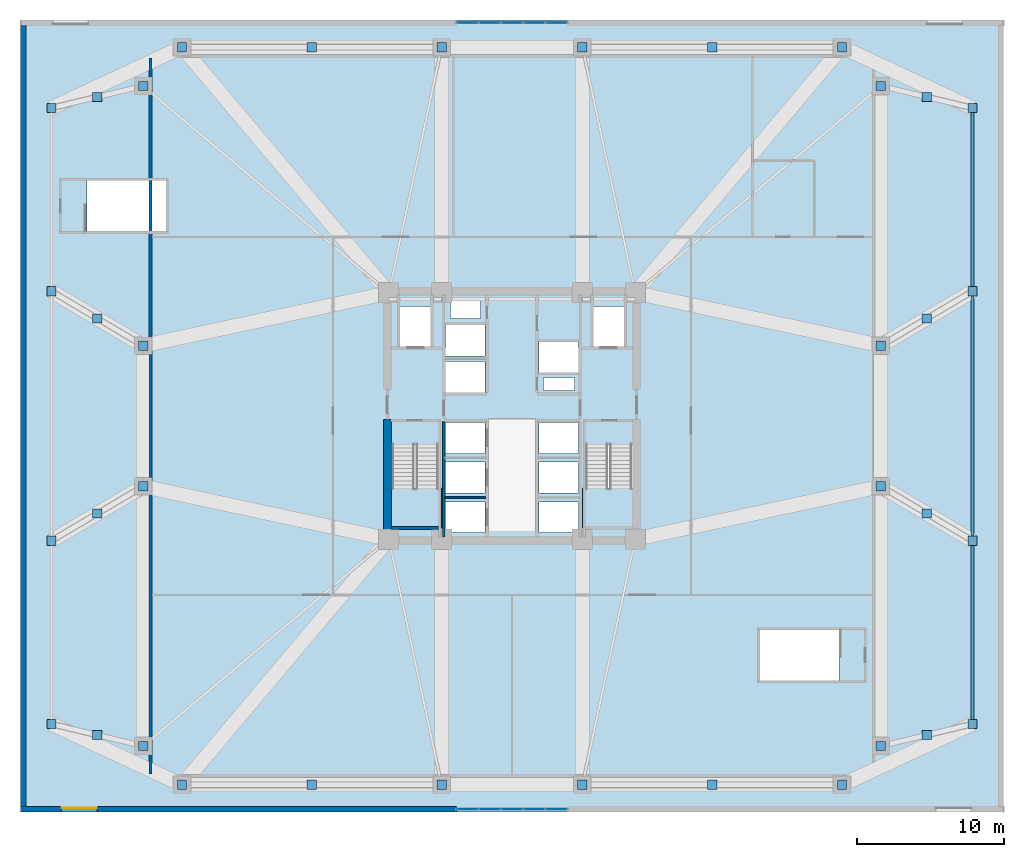
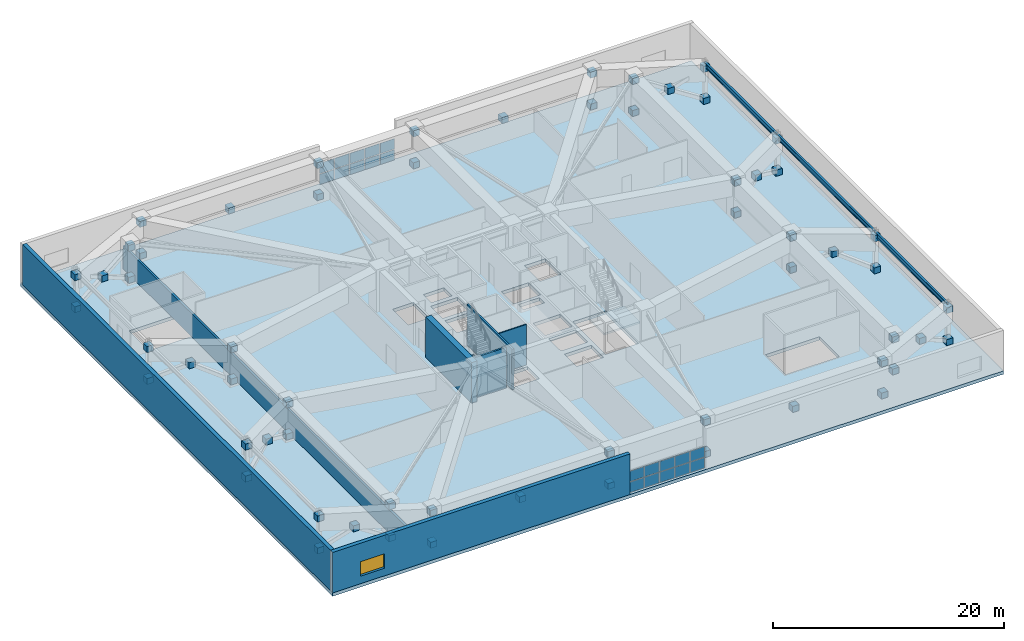
# One storey, part 10 of 19: 80 plates, 7 walls, 3 beams, 3 slabs, 1 window, 1 opening, 4 elements without a shape of their own.
"""IFC4 building model written with IfcOpenShell, lengths in metres."""

from ifc_helpers import new_model, si_unit, direction, frame, frame_2d, origin, origin_2d, place, context, subcontext, project, spatial, polyline, rectangle, i_section, outline, extrude, material, layer, layer_set, material_profile, profile_set, type_object, element, fill, aggregate, save


model = new_model("IFC4")

# Units and contexts
model_context = context("Model", 3, precision=1e-05, world=origin(), true_north=direction((0.0, 1.0)))
body_context = subcontext(model_context, "Body", "Model", "MODEL_VIEW")
ifc_project = project(units=[si_unit("LENGTHUNIT", "METRE"), si_unit("AREAUNIT", "SQUARE_METRE"), si_unit("VOLUMEUNIT", "CUBIC_METRE"), si_unit("PLANEANGLEUNIT", "RADIAN"), si_unit("MASSUNIT", "GRAM", prefix="KILO")], contexts=[model_context])

# Site, building, storey
site_placement = place(None, origin())
site = spatial("IfcSite", under=ifc_project, at=site_placement, CompositionType="ELEMENT")
building_placement = place(site_placement, origin())
building = spatial("IfcBuilding", under=site, at=building_placement, Name="Cairnveth Concourse Tower", CompositionType="ELEMENT")
storey_placement = place(building_placement, frame((0.0, 0.0, 19.0)))
storey = spatial("IfcBuildingStorey", under=building, at=storey_placement, Name="L04", CompositionType="ELEMENT", Elevation=19.0)

# Beams
ifc_material_1 = material(Name="Steel Grade 350", Category="steel")
ifc_material_profile = material_profile(ifc_material_1, i_section(OverallWidth=0.208984375, OverallDepth=0.532958984375, WebThickness=0.01025390625, FlangeThickness=0.015625, FilletRadius=0.013916015625, at=origin_2d()), Name="530UB92.4")
ifc_profile_set = profile_set([ifc_material_profile], Name="Steel Grade 350")
beam_type = type_object("IfcBeamType", Name="PODIUM EDGE SPANDREL 530UB92.4", PredefinedType="SPANDREL", material=ifc_profile_set)
beam_1_placement = place(storey_placement, frame((83.39990234375, 18.0, 4.013427734375), z_axis=(0.0, 1.0, 0.0), x_axis=(-1.0, 0.0, 0.0)))
element("IfcBeam", 1, at=beam_1_placement, inside=storey, type_object=beam_type, Name="Beam PSP-E1 L04", PredefinedType="SPANDREL", context=body_context, shape_type="SweptSolid", body=[
    extrude(i_section(OverallWidth=0.208984375, OverallDepth=0.532958984375, WebThickness=0.01025390625, FlangeThickness=0.015625, FilletRadius=0.013916015625, at=origin_2d()), origin(), (0.0, 0.0, 1.0), 12.5),
])
beam_2_placement = place(storey_placement, frame((83.39990234375, 30.5, 4.013427734375), z_axis=(0.0, 1.0, 0.0), x_axis=(-1.0, 0.0, 0.0)))
element("IfcBeam", 2, at=beam_2_placement, inside=storey, type_object=beam_type, Name="Beam PSP-E2 L04", PredefinedType="SPANDREL", context=body_context, shape_type="SweptSolid", body=[
    extrude(i_section(OverallWidth=0.208984375, OverallDepth=0.532958984375, WebThickness=0.01025390625, FlangeThickness=0.015625, FilletRadius=0.013916015625, at=origin_2d()), origin(), (0.0, 0.0, 1.0), 17.0),
])
beam_3_placement = place(storey_placement, frame((83.39990234375, 47.5, 4.013427734375), z_axis=(0.0, 1.0, 0.0), x_axis=(-1.0, 0.0, 0.0)))
element("IfcBeam", 3, at=beam_3_placement, inside=storey, type_object=beam_type, Name="Beam PSP-E3 L04", PredefinedType="SPANDREL", context=body_context, shape_type="SweptSolid", body=[
    extrude(i_section(OverallWidth=0.208984375, OverallDepth=0.532958984375, WebThickness=0.01025390625, FlangeThickness=0.015625, FilletRadius=0.013916015625, at=origin_2d()), origin(), (0.0, 0.0, 1.0), 12.5),
])

# Curtain wall, plates
ifc_material_2 = material(Name="Architectural Bronze Anodised Aluminium 6063-T6", Category="aluminium")
ifc_layer_1 = layer(ifc_material_2, 0.340087890625)
ifc_layer_set_1 = layer_set([ifc_layer_1], Name="Architectural Bronze Anodised Aluminium 6063-T6")
curtain_wall_type = type_object("IfcCurtainWallType", Name="BALLROOM FOYER UNITISED CURTAIN WALL", PredefinedType="USERDEFINED", material=ifc_layer_set_1)
curtain_wall_1_placement = place(storey_placement, origin())
curtain_wall_1 = element("IfcCurtainWall", 4, at=curtain_wall_1_placement, inside=storey, type_object=curtain_wall_type, Name="Curtain Wall CW-L04-N1", ObjectType="UNITISED FACADE", PredefinedType="USERDEFINED")
ifc_material_3 = material(Name="Double Glazed Low-E Clear Glass", Category="glass")
ifc_layer_2 = layer(ifc_material_3, 0.028076171875)
ifc_layer_set_2 = layer_set([ifc_layer_2], Name="Double Glazed Low-E Clear Glass")
plate_type_1 = type_object("IfcPlateType", Name="DOUBLE GLAZED LOW-E CURTAIN PANEL 28", PredefinedType="CURTAIN_PANEL", material=ifc_layer_set_2)
plate_1_placement = place(storey_placement, frame((48.96435546875, 65.81005859375, 0.06494140625), z_axis=(0.0, 0.0, 1.0), x_axis=(1.0, 0.0, 0.0)))
plate_1 = element("IfcPlate", 5, at=plate_1_placement, type_object=plate_type_1, Name="CWS3 panel 1.1", PredefinedType="CURTAIN_PANEL", context=body_context, shape_type="SweptSolid", body=[
    extrude(rectangle(XDim=1.428466796875, YDim=0.028076171875, at=origin_2d()), origin(), (0.0, 0.0, 1.0), 1.092529296875),
])
plate_2_placement = place(storey_placement, frame((48.96435546875, 65.81005859375, 1.22265625), z_axis=(0.0, 0.0, 1.0), x_axis=(1.0, 0.0, 0.0)))
plate_2 = element("IfcPlate", 6, at=plate_2_placement, type_object=plate_type_1, Name="CWS3 panel 1.2", PredefinedType="CURTAIN_PANEL", context=body_context, shape_type="SweptSolid", body=[
    extrude(rectangle(XDim=1.428466796875, YDim=0.028076171875, at=origin_2d()), origin(), (0.0, 0.0, 1.0), 1.092529296875),
])
plate_3_placement = place(storey_placement, frame((50.47412109375, 65.81005859375, 0.06494140625), z_axis=(0.0, 0.0, 1.0), x_axis=(1.0, 0.0, 0.0)))
plate_3 = element("IfcPlate", 7, at=plate_3_placement, type_object=plate_type_1, Name="CWS3 panel 2.1", PredefinedType="CURTAIN_PANEL", context=body_context, shape_type="SweptSolid", body=[
    extrude(rectangle(XDim=1.4609375, YDim=0.028076171875, at=origin_2d()), origin(), (0.0, 0.0, 1.0), 1.092529296875),
])
plate_4_placement = place(storey_placement, frame((50.47412109375, 65.81005859375, 1.22265625), z_axis=(0.0, 0.0, 1.0), x_axis=(1.0, 0.0, 0.0)))
plate_4 = element("IfcPlate", 8, at=plate_4_placement, type_object=plate_type_1, Name="CWS3 panel 2.2", PredefinedType="CURTAIN_PANEL", context=body_context, shape_type="SweptSolid", body=[
    extrude(rectangle(XDim=1.4609375, YDim=0.028076171875, at=origin_2d()), origin(), (0.0, 0.0, 1.0), 1.092529296875),
])
plate_5_placement = place(storey_placement, frame((52.0, 65.81005859375, 0.06494140625), z_axis=(0.0, 0.0, 1.0), x_axis=(1.0, 0.0, 0.0)))
plate_5 = element("IfcPlate", 9, at=plate_5_placement, type_object=plate_type_1, Name="CWS3 panel 3.1", PredefinedType="CURTAIN_PANEL", context=body_context, shape_type="SweptSolid", body=[
    extrude(rectangle(XDim=1.4609375, YDim=0.028076171875, at=origin_2d()), origin(), (0.0, 0.0, 1.0), 1.092529296875),
])
plate_6_placement = place(storey_placement, frame((52.0, 65.81005859375, 1.22265625), z_axis=(0.0, 0.0, 1.0), x_axis=(1.0, 0.0, 0.0)))
plate_6 = element("IfcPlate", 10, at=plate_6_placement, type_object=plate_type_1, Name="CWS3 panel 3.2", PredefinedType="CURTAIN_PANEL", context=body_context, shape_type="SweptSolid", body=[
    extrude(rectangle(XDim=1.4609375, YDim=0.028076171875, at=origin_2d()), origin(), (0.0, 0.0, 1.0), 1.092529296875),
])
plate_7_placement = place(storey_placement, frame((53.52587890625, 65.81005859375, 0.06494140625), z_axis=(0.0, 0.0, 1.0), x_axis=(1.0, 0.0, 0.0)))
plate_7 = element("IfcPlate", 11, at=plate_7_placement, type_object=plate_type_1, Name="CWS3 panel 4.1", PredefinedType="CURTAIN_PANEL", context=body_context, shape_type="SweptSolid", body=[
    extrude(rectangle(XDim=1.4609375, YDim=0.028076171875, at=origin_2d()), origin(), (0.0, 0.0, 1.0), 1.092529296875),
])
plate_8_placement = place(storey_placement, frame((53.52587890625, 65.81005859375, 1.22265625), z_axis=(0.0, 0.0, 1.0), x_axis=(1.0, 0.0, 0.0)))
plate_8 = element("IfcPlate", 12, at=plate_8_placement, type_object=plate_type_1, Name="CWS3 panel 4.2", PredefinedType="CURTAIN_PANEL", context=body_context, shape_type="SweptSolid", body=[
    extrude(rectangle(XDim=1.4609375, YDim=0.028076171875, at=origin_2d()), origin(), (0.0, 0.0, 1.0), 1.092529296875),
])
plate_9_placement = place(storey_placement, frame((55.03564453125, 65.81005859375, 0.06494140625), z_axis=(0.0, 0.0, 1.0), x_axis=(1.0, 0.0, 0.0)))
plate_9 = element("IfcPlate", 13, at=plate_9_placement, type_object=plate_type_1, Name="CWS3 panel 5.1", PredefinedType="CURTAIN_PANEL", context=body_context, shape_type="SweptSolid", body=[
    extrude(rectangle(XDim=1.428466796875, YDim=0.028076171875, at=origin_2d()), origin(), (0.0, 0.0, 1.0), 1.092529296875),
])
plate_10_placement = place(storey_placement, frame((55.03564453125, 65.81005859375, 1.22265625), z_axis=(0.0, 0.0, 1.0), x_axis=(1.0, 0.0, 0.0)))
plate_10 = element("IfcPlate", 14, at=plate_10_placement, type_object=plate_type_1, Name="CWS3 panel 5.2", PredefinedType="CURTAIN_PANEL", context=body_context, shape_type="SweptSolid", body=[
    extrude(rectangle(XDim=1.428466796875, YDim=0.028076171875, at=origin_2d()), origin(), (0.0, 0.0, 1.0), 1.092529296875),
])
aggregate(curtain_wall_1, [plate_1, plate_2, plate_3, plate_4, plate_5, plate_6, plate_7, plate_8, plate_9, plate_10])

curtain_wall_2_placement = place(storey_placement, origin())
curtain_wall_2 = element("IfcCurtainWall", 15, at=curtain_wall_2_placement, inside=storey, type_object=curtain_wall_type, Name="Curtain Wall CW-L04-S1", ObjectType="UNITISED FACADE", PredefinedType="USERDEFINED")
plate_11_placement = place(storey_placement, frame((55.03564453125, 12.18994140625, 0.06494140625), z_axis=(0.0, 0.0, 1.0), x_axis=(-1.0, 0.0, 0.0)))
plate_11 = element("IfcPlate", 16, at=plate_11_placement, type_object=plate_type_1, Name="CWS3 panel 1.1", PredefinedType="CURTAIN_PANEL", context=body_context, shape_type="SweptSolid", body=[
    extrude(rectangle(XDim=1.428466796875, YDim=0.028076171875, at=origin_2d()), origin(), (0.0, 0.0, 1.0), 1.092529296875),
])
plate_12_placement = place(storey_placement, frame((55.03564453125, 12.18994140625, 1.22265625), z_axis=(0.0, 0.0, 1.0), x_axis=(-1.0, 0.0, 0.0)))
plate_12 = element("IfcPlate", 17, at=plate_12_placement, type_object=plate_type_1, Name="CWS3 panel 1.2", PredefinedType="CURTAIN_PANEL", context=body_context, shape_type="SweptSolid", body=[
    extrude(rectangle(XDim=1.428466796875, YDim=0.028076171875, at=origin_2d()), origin(), (0.0, 0.0, 1.0), 1.092529296875),
])
plate_13_placement = place(storey_placement, frame((53.52587890625, 12.18994140625, 0.06494140625), z_axis=(0.0, 0.0, 1.0), x_axis=(-1.0, 0.0, 0.0)))
plate_13 = element("IfcPlate", 18, at=plate_13_placement, type_object=plate_type_1, Name="CWS3 panel 2.1", PredefinedType="CURTAIN_PANEL", context=body_context, shape_type="SweptSolid", body=[
    extrude(rectangle(XDim=1.4609375, YDim=0.028076171875, at=origin_2d()), origin(), (0.0, 0.0, 1.0), 1.092529296875),
])
plate_14_placement = place(storey_placement, frame((53.52587890625, 12.18994140625, 1.22265625), z_axis=(0.0, 0.0, 1.0), x_axis=(-1.0, 0.0, 0.0)))
plate_14 = element("IfcPlate", 19, at=plate_14_placement, type_object=plate_type_1, Name="CWS3 panel 2.2", PredefinedType="CURTAIN_PANEL", context=body_context, shape_type="SweptSolid", body=[
    extrude(rectangle(XDim=1.4609375, YDim=0.028076171875, at=origin_2d()), origin(), (0.0, 0.0, 1.0), 1.092529296875),
])
plate_15_placement = place(storey_placement, frame((52.0, 12.18994140625, 0.06494140625), z_axis=(0.0, 0.0, 1.0), x_axis=(-1.0, 0.0, 0.0)))
plate_15 = element("IfcPlate", 20, at=plate_15_placement, type_object=plate_type_1, Name="CWS3 panel 3.1", PredefinedType="CURTAIN_PANEL", context=body_context, shape_type="SweptSolid", body=[
    extrude(rectangle(XDim=1.4609375, YDim=0.028076171875, at=origin_2d()), origin(), (0.0, 0.0, 1.0), 1.092529296875),
])
plate_16_placement = place(storey_placement, frame((52.0, 12.18994140625, 1.22265625), z_axis=(0.0, 0.0, 1.0), x_axis=(-1.0, 0.0, 0.0)))
plate_16 = element("IfcPlate", 21, at=plate_16_placement, type_object=plate_type_1, Name="CWS3 panel 3.2", PredefinedType="CURTAIN_PANEL", context=body_context, shape_type="SweptSolid", body=[
    extrude(rectangle(XDim=1.4609375, YDim=0.028076171875, at=origin_2d()), origin(), (0.0, 0.0, 1.0), 1.092529296875),
])
plate_17_placement = place(storey_placement, frame((50.47412109375, 12.18994140625, 0.06494140625), z_axis=(0.0, 0.0, 1.0), x_axis=(-1.0, 0.0, 0.0)))
plate_17 = element("IfcPlate", 22, at=plate_17_placement, type_object=plate_type_1, Name="CWS3 panel 4.1", PredefinedType="CURTAIN_PANEL", context=body_context, shape_type="SweptSolid", body=[
    extrude(rectangle(XDim=1.4609375, YDim=0.028076171875, at=origin_2d()), origin(), (0.0, 0.0, 1.0), 1.092529296875),
])
plate_18_placement = place(storey_placement, frame((50.47412109375, 12.18994140625, 1.22265625), z_axis=(0.0, 0.0, 1.0), x_axis=(-1.0, 0.0, 0.0)))
plate_18 = element("IfcPlate", 23, at=plate_18_placement, type_object=plate_type_1, Name="CWS3 panel 4.2", PredefinedType="CURTAIN_PANEL", context=body_context, shape_type="SweptSolid", body=[
    extrude(rectangle(XDim=1.4609375, YDim=0.028076171875, at=origin_2d()), origin(), (0.0, 0.0, 1.0), 1.092529296875),
])
plate_19_placement = place(storey_placement, frame((48.96435546875, 12.18994140625, 0.06494140625), z_axis=(0.0, 0.0, 1.0), x_axis=(-1.0, 0.0, 0.0)))
plate_19 = element("IfcPlate", 24, at=plate_19_placement, type_object=plate_type_1, Name="CWS3 panel 5.1", PredefinedType="CURTAIN_PANEL", context=body_context, shape_type="SweptSolid", body=[
    extrude(rectangle(XDim=1.428466796875, YDim=0.028076171875, at=origin_2d()), origin(), (0.0, 0.0, 1.0), 1.092529296875),
])
plate_20_placement = place(storey_placement, frame((48.96435546875, 12.18994140625, 1.22265625), z_axis=(0.0, 0.0, 1.0), x_axis=(-1.0, 0.0, 0.0)))
plate_20 = element("IfcPlate", 25, at=plate_20_placement, type_object=plate_type_1, Name="CWS3 panel 5.2", PredefinedType="CURTAIN_PANEL", context=body_context, shape_type="SweptSolid", body=[
    extrude(rectangle(XDim=1.428466796875, YDim=0.028076171875, at=origin_2d()), origin(), (0.0, 0.0, 1.0), 1.092529296875),
])
aggregate(curtain_wall_2, [plate_11, plate_12, plate_13, plate_14, plate_15, plate_16, plate_17, plate_18, plate_19, plate_20])

# Plates
ifc_layer_3 = layer(ifc_material_1, 0.044921875)
ifc_layer_set_3 = layer_set([ifc_layer_3], Name="Steel Grade 350")
plate_type_2 = type_object("IfcPlateType", Name="PODIUM TRANSFER NODE GUSSET PLATE 45", PredefinedType="USERDEFINED", material=ifc_layer_set_3)
for number, where, z_axis, x_axis, name in (
    (26, (20.60009765625, 18.0, 0.0302734375), (0.0, 0.0, 1.0), (1.0, 0.0, 0.0), "Structural Node Plate 0001 L04"),
    (27, (26.85009765625, 16.5, 3.41015625), (0.0, 0.0, 1.0), (1.0, 0.0, 0.0), "Structural Node Plate 0002 L04"),
    (28, (23.72509765625, 17.25, 1.72021484375), (0.0, 0.0, 1.0), (1.0, 0.0, 0.0), "Structural Node Plate 0003 L04"),
    (29, (26.85009765625, 16.5, 0.0302734375), (0.0, 0.0, 1.0), (1.0, 0.0, 0.0), "Structural Node Plate 0004 L04"),
    (30, (20.60009765625, 18.0, 3.41015625), (0.0, 0.0, 1.0), (1.0, 0.0, 0.0), "Structural Node Plate 0005 L04"),
    (31, (20.60009765625, 30.5, 0.0302734375), (0.0, 0.0, 1.0), (1.0, 0.0, 0.0), "Structural Node Plate 0006 L04"),
    (32, (26.85009765625, 34.199951171875, 3.41015625), (0.0, 0.0, 1.0), (1.0, 0.0, 0.0), "Structural Node Plate 0007 L04"),
    (33, (23.72509765625, 32.35009765625, 1.72021484375), (0.0, 0.0, 1.0), (1.0, 0.0, 0.0), "Structural Node Plate 0008 L04"),
    (34, (26.85009765625, 34.199951171875, 0.0302734375), (0.0, 0.0, 1.0), (1.0, 0.0, 0.0), "Structural Node Plate 0009 L04"),
    (35, (20.60009765625, 30.5, 3.41015625), (0.0, 0.0, 1.0), (1.0, 0.0, 0.0), "Structural Node Plate 0010 L04"),
    (36, (20.60009765625, 47.5, 0.0302734375), (0.0, 0.0, 1.0), (1.0, 0.0, 0.0), "Structural Node Plate 0011 L04"),
    (37, (26.85009765625, 43.800048828125, 3.41015625), (0.0, 0.0, 1.0), (1.0, 0.0, 0.0), "Structural Node Plate 0012 L04"),
    (38, (23.72509765625, 45.64990234375, 1.72021484375), (0.0, 0.0, 1.0), (1.0, 0.0, 0.0), "Structural Node Plate 0013 L04"),
    (39, (26.85009765625, 43.800048828125, 0.0302734375), (0.0, 0.0, 1.0), (1.0, 0.0, 0.0), "Structural Node Plate 0014 L04"),
    (40, (20.60009765625, 47.5, 3.41015625), (0.0, 0.0, 1.0), (1.0, 0.0, 0.0), "Structural Node Plate 0015 L04"),
    (41, (20.60009765625, 60.0, 0.0302734375), (0.0, 0.0, 1.0), (1.0, 0.0, 0.0), "Structural Node Plate 0016 L04"),
    (42, (26.85009765625, 61.5, 3.41015625), (0.0, 0.0, 1.0), (1.0, 0.0, 0.0), "Structural Node Plate 0017 L04"),
    (43, (23.72509765625, 60.75, 1.72021484375), (0.0, 0.0, 1.0), (1.0, 0.0, 0.0), "Structural Node Plate 0018 L04"),
    (44, (26.85009765625, 61.5, 0.0302734375), (0.0, 0.0, 1.0), (1.0, 0.0, 0.0), "Structural Node Plate 0019 L04"),
    (45, (20.60009765625, 60.0, 3.41015625), (0.0, 0.0, 1.0), (1.0, 0.0, 0.0), "Structural Node Plate 0020 L04"),
    (46, (77.14990234375, 16.5, 0.0302734375), (0.0, 0.0, 1.0), (1.0, 0.0, 0.0), "Structural Node Plate 0021 L04"),
    (47, (83.39990234375, 18.0, 3.41015625), (0.0, 0.0, 1.0), (1.0, 0.0, 0.0), "Structural Node Plate 0022 L04"),
    (48, (80.27490234375, 17.25, 1.72021484375), (0.0, 0.0, 1.0), (1.0, 0.0, 0.0), "Structural Node Plate 0023 L04"),
    (49, (83.39990234375, 18.0, 0.0302734375), (0.0, 0.0, 1.0), (1.0, 0.0, 0.0), "Structural Node Plate 0024 L04"),
    (50, (77.14990234375, 16.5, 3.41015625), (0.0, 0.0, 1.0), (1.0, 0.0, 0.0), "Structural Node Plate 0025 L04"),
    (51, (77.14990234375, 34.199951171875, 0.0302734375), (0.0, 0.0, 1.0), (1.0, 0.0, 0.0), "Structural Node Plate 0026 L04"),
    (52, (83.39990234375, 30.5, 3.41015625), (0.0, 0.0, 1.0), (1.0, 0.0, 0.0), "Structural Node Plate 0027 L04"),
    (53, (80.27490234375, 32.35009765625, 1.72021484375), (0.0, 0.0, 1.0), (1.0, 0.0, 0.0), "Structural Node Plate 0028 L04"),
    (54, (83.39990234375, 30.5, 0.0302734375), (0.0, 0.0, 1.0), (1.0, 0.0, 0.0), "Structural Node Plate 0029 L04"),
    (55, (77.14990234375, 34.199951171875, 3.41015625), (0.0, 0.0, 1.0), (1.0, 0.0, 0.0), "Structural Node Plate 0030 L04"),
    (56, (77.14990234375, 43.800048828125, 0.0302734375), (0.0, 0.0, 1.0), (1.0, 0.0, 0.0), "Structural Node Plate 0031 L04"),
    (57, (83.39990234375, 47.5, 3.41015625), (0.0, 0.0, 1.0), (1.0, 0.0, 0.0), "Structural Node Plate 0032 L04"),
    (58, (80.27490234375, 45.64990234375, 1.72021484375), (0.0, 0.0, 1.0), (1.0, 0.0, 0.0), "Structural Node Plate 0033 L04"),
    (59, (83.39990234375, 47.5, 0.0302734375), (0.0, 0.0, 1.0), (1.0, 0.0, 0.0), "Structural Node Plate 0034 L04"),
    (60, (77.14990234375, 43.800048828125, 3.41015625), (0.0, 0.0, 1.0), (1.0, 0.0, 0.0), "Structural Node Plate 0035 L04"),
    (61, (77.14990234375, 61.5, 0.0302734375), (0.0, 0.0, 1.0), (1.0, 0.0, 0.0), "Structural Node Plate 0036 L04"),
    (62, (83.39990234375, 60.0, 3.41015625), (0.0, 0.0, 1.0), (1.0, 0.0, 0.0), "Structural Node Plate 0037 L04"),
    (63, (80.27490234375, 60.75, 1.72021484375), (0.0, 0.0, 1.0), (1.0, 0.0, 0.0), "Structural Node Plate 0038 L04"),
    (64, (83.39990234375, 60.0, 0.0302734375), (0.0, 0.0, 1.0), (1.0, 0.0, 0.0), "Structural Node Plate 0039 L04"),
    (65, (77.14990234375, 61.5, 3.41015625), (0.0, 0.0, 1.0), (1.0, 0.0, 0.0), "Structural Node Plate 0040 L04"),
    (66, (29.5, 13.85009765625, 0.0302734375), (0.0, 0.0, 1.0), (1.0, 0.0, 0.0), "Structural Node Plate 0041 L04"),
    (67, (47.199951171875, 13.85009765625, 3.41015625), (0.0, 0.0, 1.0), (1.0, 0.0, 0.0), "Structural Node Plate 0042 L04"),
    (68, (38.35009765625, 13.85009765625, 1.72021484375), (0.0, 0.0, 1.0), (1.0, 0.0, 0.0), "Structural Node Plate 0043 L04"),
    (69, (47.199951171875, 13.85009765625, 0.0302734375), (0.0, 0.0, 1.0), (1.0, 0.0, 0.0), "Structural Node Plate 0044 L04"),
    (70, (29.5, 13.85009765625, 3.41015625), (0.0, 0.0, 1.0), (1.0, 0.0, 0.0), "Structural Node Plate 0045 L04"),
    (71, (56.800048828125, 13.85009765625, 0.0302734375), (0.0, 0.0, 1.0), (1.0, 0.0, 0.0), "Structural Node Plate 0046 L04"),
    (72, (74.5, 13.85009765625, 3.41015625), (0.0, 0.0, 1.0), (1.0, 0.0, 0.0), "Structural Node Plate 0047 L04"),
    (73, (65.64990234375, 13.85009765625, 1.72021484375), (0.0, 0.0, 1.0), (1.0, 0.0, 0.0), "Structural Node Plate 0048 L04"),
    (74, (74.5, 13.85009765625, 0.0302734375), (0.0, 0.0, 1.0), (1.0, 0.0, 0.0), "Structural Node Plate 0049 L04"),
    (75, (56.800048828125, 13.85009765625, 3.41015625), (0.0, 0.0, 1.0), (1.0, 0.0, 0.0), "Structural Node Plate 0050 L04"),
    (76, (29.5, 64.14990234375, 0.0302734375), (0.0, 0.0, 1.0), (1.0, 0.0, 0.0), "Structural Node Plate 0051 L04"),
    (77, (47.199951171875, 64.14990234375, 3.41015625), (0.0, 0.0, 1.0), (1.0, 0.0, 0.0), "Structural Node Plate 0052 L04"),
    (78, (38.35009765625, 64.14990234375, 1.72021484375), (0.0, 0.0, 1.0), (1.0, 0.0, 0.0), "Structural Node Plate 0053 L04"),
    (79, (47.199951171875, 64.14990234375, 0.0302734375), (0.0, 0.0, 1.0), (1.0, 0.0, 0.0), "Structural Node Plate 0054 L04"),
    (80, (29.5, 64.14990234375, 3.41015625), (0.0, 0.0, 1.0), (1.0, 0.0, 0.0), "Structural Node Plate 0055 L04"),
    (81, (56.800048828125, 64.14990234375, 0.0302734375), (0.0, 0.0, 1.0), (1.0, 0.0, 0.0), "Structural Node Plate 0056 L04"),
    (82, (74.5, 64.14990234375, 3.41015625), (0.0, 0.0, 1.0), (1.0, 0.0, 0.0), "Structural Node Plate 0057 L04"),
    (83, (65.64990234375, 64.14990234375, 1.72021484375), (0.0, 0.0, 1.0), (1.0, 0.0, 0.0), "Structural Node Plate 0058 L04"),
    (84, (74.5, 64.14990234375, 0.0302734375), (0.0, 0.0, 1.0), (1.0, 0.0, 0.0), "Structural Node Plate 0059 L04"),
    (85, (56.800048828125, 64.14990234375, 3.41015625), (0.0, 0.0, 1.0), (1.0, 0.0, 0.0), "Structural Node Plate 0060 L04"),
):
    element("IfcPlate", number, at=place(storey_placement, frame(where, z_axis=z_axis, x_axis=x_axis)), inside=storey, type_object=plate_type_2, Name=name, ObjectType="GUSSET PLATE", PredefinedType="USERDEFINED", context=body_context, shape_type="SweptSolid", body=[
        extrude(rectangle(XDim=0.639892578125, YDim=0.639892578125, at=origin_2d()), origin(), (0.0, 0.0, 1.0), 0.639892578125),
    ])

# Slab
ifc_material_4 = material(Name="Concrete N65 (65 MPa)", Category="concrete")
ifc_layer_4 = layer(ifc_material_4, 0.35009765625)
ifc_layer_set_4 = layer_set([ifc_layer_4], Name="Concrete N65 (65 MPa)")
slab_type_1 = type_object("IfcSlabType", Name="PODIUM TRANSFER SLAB 350", PredefinedType="FLOOR", material=ifc_layer_set_4)
slab_1_placement = place(storey_placement, frame((0.0, 0.0, -0.35009765625)))
element("IfcSlab", 86, at=slab_1_placement, inside=storey, type_object=slab_type_1, Name="Podium Floor Slab L04", PredefinedType="FLOOR", context=body_context, shape_type="SweptSolid", body=[
    extrude(outline(polyline([(18.5, 12.0), (85.5, 12.0), (85.5, 66.0), (18.5, 66.0), (18.5, 12.0)]), holes=[polyline([(43.760009765625, 31.360107421875), (47.06005859375, 31.360107421875), (47.06005859375, 37.0400390625), (43.760009765625, 37.0400390625), (43.760009765625, 31.360107421875)]), polyline([(56.93994140625, 31.360107421875), (60.239990234375, 31.360107421875), (60.239990234375, 37.0400390625), (56.93994140625, 37.0400390625), (56.93994140625, 31.360107421875)]), polyline([(23.010009765625, 51.60009765625), (28.39990234375, 51.60009765625), (28.39990234375, 55.0400390625), (23.010009765625, 55.0400390625), (23.010009765625, 51.60009765625)]), polyline([(74.2900390625, 24.39990234375), (68.89990234375, 24.39990234375), (68.89990234375, 20.9599609375), (74.2900390625, 20.9599609375), (74.2900390625, 24.39990234375)]), polyline([(44.3701171875, 43.75), (46.469970703125, 43.75), (46.469970703125, 46.449951171875), (44.3701171875, 46.449951171875), (44.3701171875, 43.75)]), polyline([(57.530029296875, 43.75), (59.6298828125, 43.75), (59.6298828125, 46.449951171875), (57.530029296875, 46.449951171875), (57.530029296875, 43.75)]), polyline([(47.449951171875, 31.050048828125), (50.14990234375, 31.050048828125), (50.14990234375, 33.14990234375), (47.449951171875, 33.14990234375), (47.449951171875, 31.050048828125)]), polyline([(47.449951171875, 33.75), (50.14990234375, 33.75), (50.14990234375, 35.85009765625), (47.449951171875, 35.85009765625), (47.449951171875, 33.75)]), polyline([(47.449951171875, 36.449951171875), (50.14990234375, 36.449951171875), (50.14990234375, 38.550048828125), (47.449951171875, 38.550048828125), (47.449951171875, 36.449951171875)]), polyline([(53.85009765625, 31.050048828125), (56.550048828125, 31.050048828125), (56.550048828125, 33.14990234375), (53.85009765625, 33.14990234375), (53.85009765625, 31.050048828125)]), polyline([(53.85009765625, 33.75), (56.550048828125, 33.75), (56.550048828125, 35.85009765625), (53.85009765625, 35.85009765625), (53.85009765625, 33.75)]), polyline([(53.85009765625, 36.449951171875), (56.550048828125, 36.449951171875), (56.550048828125, 38.550048828125), (53.85009765625, 38.550048828125), (53.85009765625, 36.449951171875)]), polyline([(47.449951171875, 40.60009765625), (50.14990234375, 40.60009765625), (50.14990234375, 42.699951171875), (47.449951171875, 42.699951171875), (47.449951171875, 40.60009765625)]), polyline([(47.449951171875, 43.10009765625), (50.14990234375, 43.10009765625), (50.14990234375, 45.199951171875), (47.449951171875, 45.199951171875), (47.449951171875, 43.10009765625)]), polyline([(53.85009765625, 41.949951171875), (56.550048828125, 41.949951171875), (56.550048828125, 44.050048828125), (53.85009765625, 44.050048828125), (53.85009765625, 41.949951171875)]), polyline([(47.800048828125, 45.64990234375), (49.85009765625, 45.64990234375), (49.85009765625, 47.050048828125), (47.800048828125, 47.050048828125), (47.800048828125, 45.64990234375)]), polyline([(54.14990234375, 40.75), (56.25, 40.75), (56.25, 41.6201171875), (54.14990234375, 41.6201171875), (54.14990234375, 40.75)])]), origin(), (0.0, 0.0, 1.0), 0.35009765625),
])

# Stair, slab
ifc_material_5 = material(Name="Precast concrete N50 (50 MPa)", Category="concrete")
stair_type = type_object("IfcStairType", Name="CORE DOG-LEG FIRE STAIR 1500", PredefinedType="HALF_TURN_STAIR", material=ifc_material_5)
stair_1_placement = place(storey_placement, origin())
stair_1 = element("IfcStair", 87, at=stair_1_placement, inside=storey, type_object=stair_type, Name="L04 Fire-Isolated Stair ST-1", PredefinedType="HALF_TURN_STAIR")
ifc_material_6 = material(Name="Concrete N50 (50 MPa)", Category="concrete")
ifc_layer_5 = layer(ifc_material_6, 0.199951171875)
ifc_layer_set_5 = layer_set([ifc_layer_5], Name="Concrete N50 (50 MPa)")
slab_type_2 = type_object("IfcSlabType", Name="STAIR HALF LANDING SLAB 200", PredefinedType="LANDING", material=ifc_layer_set_5)
slab_2_placement = place(storey_placement, frame((0.0, 0.0, 2.050048828125)))
slab_2 = element("IfcSlab", 88, at=slab_2_placement, type_object=slab_type_2, Name="ST-1 landing 1", PredefinedType="LANDING", context=body_context, shape_type="SweptSolid", body=[
    extrude(outline(polyline([(43.6201171875, 34.080078125), (43.6201171875, 31.3701171875), (47.199951171875, 31.3701171875), (47.199951171875, 34.080078125), (43.6201171875, 34.080078125)])), origin(), (0.0, 0.0, 1.0), 0.199951171875),
])
aggregate(stair_1, [slab_2])

stair_2_placement = place(storey_placement, origin())
stair_2 = element("IfcStair", 89, at=stair_2_placement, inside=storey, type_object=stair_type, Name="L04 Fire-Isolated Stair ST-2", PredefinedType="HALF_TURN_STAIR")
slab_3_placement = place(storey_placement, frame((0.0, 0.0, 2.050048828125)))
slab_3 = element("IfcSlab", 90, at=slab_3_placement, type_object=slab_type_2, Name="ST-2 landing 1", PredefinedType="LANDING", context=body_context, shape_type="SweptSolid", body=[
    extrude(outline(polyline([(56.800048828125, 34.080078125), (56.800048828125, 31.3701171875), (60.3798828125, 31.3701171875), (60.3798828125, 34.080078125), (56.800048828125, 34.080078125)])), origin(), (0.0, 0.0, 1.0), 0.199951171875),
])
aggregate(stair_2, [slab_3])

# Walls
ifc_material_7 = material(Name="Concrete N80 (80 MPa)", Category="concrete")
ifc_layer_6 = layer(ifc_material_7, 0.550048828125)
ifc_layer_set_6 = layer_set([ifc_layer_6], Name="Concrete N80 (80 MPa)")
wall_type_1 = type_object("IfcWallType", Name="CORE SHEAR WALL 550", PredefinedType="SHEAR", material=ifc_layer_set_6)
wall_1_placement = place(storey_placement, frame((43.5, 30.764892578125, 0.0), z_axis=(0.0, 0.0, 1.0), x_axis=(0.0, 1.0, 0.0)))
element("IfcWall", 91, at=wall_1_placement, inside=storey, type_object=wall_type_1, Name="Core West Shear Wall S L04", PredefinedType="SHEAR", context=body_context, shape_type="SweptSolid", body=[
    extrude(rectangle(XDim=7.985107421875, YDim=0.550048828125, at=frame_2d((3.99267578125, 0.0))), origin(), (0.0, 0.0, 1.0), 4.280029296875),
])
ifc_layer_7 = layer(ifc_material_6, 0.179931640625)
ifc_layer_set_7 = layer_set([ifc_layer_7], Name="Concrete N50 (50 MPa)")
wall_type_2 = type_object("IfcWallType", Name="FIRE SHAFT WALL 180", PredefinedType="SOLIDWALL", material=ifc_layer_set_7)
wall_2_placement = place(storey_placement, frame((47.35009765625, 30.760009765625, 0.0), z_axis=(0.0, 0.0, 1.0), x_axis=(0.0, 1.0, 0.0)))
element("IfcWall", 92, at=wall_2_placement, inside=storey, type_object=wall_type_2, Name="Interior Wall IW-L04-025", PredefinedType="SOLIDWALL", context=body_context, shape_type="SweptSolid", body=[
    extrude(rectangle(XDim=7.85498046875, YDim=0.179931640625, at=frame_2d((3.927490234375, 0.0))), origin(), (0.0, 0.0, 1.0), 4.280029296875),
])
wall_3_placement = place(storey_placement, frame((43.764892578125, 31.360107421875, 0.0), z_axis=(0.0, 0.0, 1.0), x_axis=(1.0, 0.0, 0.0)))
element("IfcWall", 93, at=wall_3_placement, inside=storey, type_object=wall_type_2, Name="Stair ST-1 Shaft Wall FAR L04", PredefinedType="SOLIDWALL", context=body_context, shape_type="SweptSolid", body=[
    extrude(rectangle(XDim=3.230224609375, YDim=0.179931640625, at=frame_2d((1.615234375, 0.0))), origin(), (0.0, 0.0, 1.0), 4.280029296875),
])
ifc_layer_8 = layer(ifc_material_6, 0.199951171875)
ifc_layer_set_8 = layer_set([ifc_layer_8], Name="Concrete N50 (50 MPa)")
wall_type_3 = type_object("IfcWallType", Name="FIRE SHAFT WALL 200", PredefinedType="SOLIDWALL", material=ifc_layer_set_8)
wall_4_placement = place(storey_placement, frame((27.35009765625, 14.60009765625, 0.0), z_axis=(0.0, 0.0, 1.0), x_axis=(0.0, 1.0, 0.0)))
element("IfcWall", 94, at=wall_4_placement, inside=storey, type_object=wall_type_3, Name="L04 West Transfer Truss Plenum Wall", PredefinedType="SOLIDWALL", context=body_context, shape_type="SweptSolid", body=[
    extrude(rectangle(XDim=48.7998046875, YDim=0.199951171875, at=frame_2d((24.39990234375, 0.0))), origin(), (0.0, 0.0, 1.0), 2.455078125),
])
ifc_material_8 = material(Name="Gypsum Plasterboard Partition", Category="gypsum")
ifc_layer_9 = layer(ifc_material_8, 0.110107421875)
ifc_layer_set_9 = layer_set([ifc_layer_9], Name="Gypsum Plasterboard Partition")
wall_type_4 = type_object("IfcWallType", Name="SHAFT DIVIDER WALL 140", PredefinedType="PARTITIONING", material=ifc_layer_set_9)
wall_5_placement = place(storey_placement, frame((47.425048828125, 33.449951171875, 0.0), z_axis=(0.0, 0.0, 1.0), x_axis=(1.0, 0.0, 0.0)))
element("IfcWall", 95, at=wall_5_placement, inside=storey, type_object=wall_type_4, Name="Interior Wall IW-L04-026", PredefinedType="PARTITIONING", context=body_context, shape_type="SweptSolid", body=[
    extrude(rectangle(XDim=2.7900390625, YDim=0.110107421875, at=frame_2d((1.39501953125, 0.0))), origin(), (0.0, 0.0, 1.0), 4.280029296875),
])

# Wall, opening, window
ifc_material_9 = material(Name="Hawthorn Red-Ochre Fired Clay Brick Masonry", Category="masonry")
ifc_layer_10 = layer(ifc_material_9, 0.3798828125)
ifc_layer_set_10 = layer_set([ifc_layer_10], Name="Hawthorn Red-Ochre Fired Clay Brick Masonry")
wall_type_5 = type_object("IfcWallType", Name="UPPER PODIUM BRICK WALL 380", PredefinedType="SOLIDWALL", material=ifc_layer_set_10)
wall_6_placement = place(storey_placement, frame((48.199951171875, 12.18994140625, 0.0), z_axis=(0.0, 0.0, 1.0), x_axis=(-1.0, 0.0, 0.0)))
wall_6 = element("IfcWall", 96, at=wall_6_placement, inside=storey, type_object=wall_type_5, Name="Exterior Wall EW-L04-SW", PredefinedType="SOLIDWALL", context=body_context, shape_type="SweptSolid", body=[
    extrude(rectangle(XDim=29.699951171875, YDim=0.3798828125, at=frame_2d((14.85009765625, 0.0))), origin(), (0.0, 0.0, 1.0), 4.280029296875),
])
opening_placement = place(wall_6_placement, frame((24.5, 0.0, 0.800048828125)))
opening = element("IfcOpeningElement", 97, at=opening_placement, cuts=wall_6, Name="Opening W11", PredefinedType="OPENING", context=body_context, shape_type="SweptSolid", body=[
    extrude(rectangle(XDim=2.39990234375, YDim=1.530029296875, at=frame_2d((1.199951171875, 0.76513671875))), frame((0.0, 0.199951171875, 0.0), z_axis=(0.0, -1.0, 0.0), x_axis=(1.0, 0.0, 0.0)), (0.0, 0.0, 1.0), 0.39990234375),
])
window_type = type_object("IfcWindowType", Name="DEEP-SET PODIUM CLERESTORY WINDOW 2400X1600", PartitioningType="DOUBLE_PANEL_VERTICAL", PredefinedType="WINDOW", material=ifc_material_3)
window_placement = place(opening_placement, origin())
window = element("IfcWindow", 98, at=window_placement, inside=storey, type_object=window_type, Name="WIN-L04-SW-1", OverallHeight=1.530029296875, OverallWidth=2.39990234375, PartitioningType="SINGLE_PANEL", PredefinedType="WINDOW", context=body_context, shape_type="SweptSolid", body=[
    extrude(rectangle(XDim=2.39990234375, YDim=1.530029296875, at=frame_2d((1.199951171875, 0.76513671875))), frame((0.0, -0.050048828125, 0.0), z_axis=(0.0, -1.0, 0.0), x_axis=(1.0, 0.0, 0.0)), (0.0, 0.0, 1.0), 0.06005859375),
])
fill(opening, window)

# Wall
wall_7_placement = place(storey_placement, frame((18.68994140625, 12.364990234375, 0.0), z_axis=(0.0, 0.0, 1.0), x_axis=(0.0, 1.0, 0.0)))
element("IfcWall", 99, at=wall_7_placement, inside=storey, type_object=wall_type_5, Name="Exterior Wall EW-L04-W", PredefinedType="SOLIDWALL", context=body_context, shape_type="SweptSolid", body=[
    extrude(rectangle(XDim=53.27001953125, YDim=0.3798828125, at=frame_2d((26.635009765625, 0.0))), origin(), (0.0, 0.0, 1.0), 4.280029296875),
])

save(model, "model.ifc")
